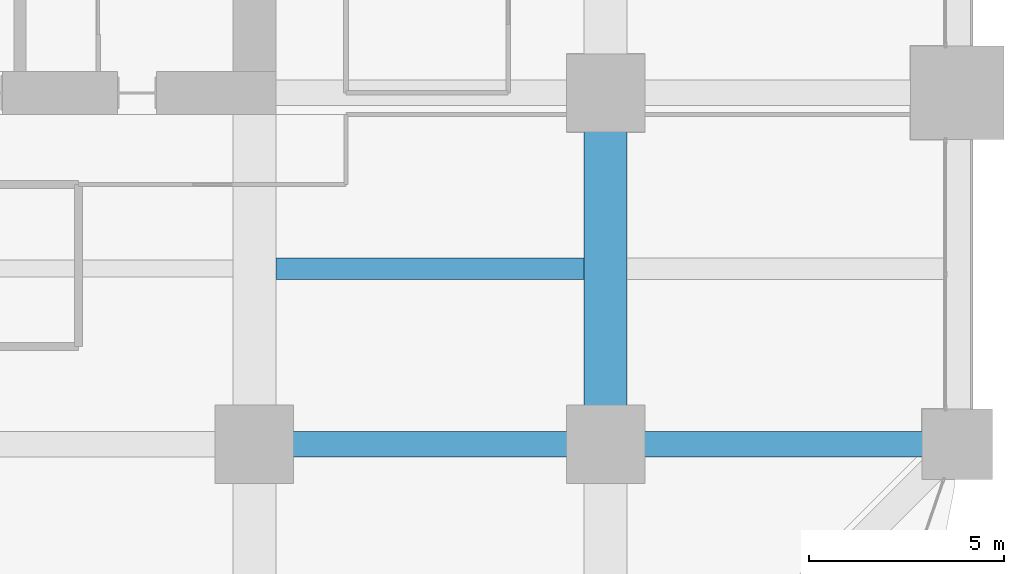
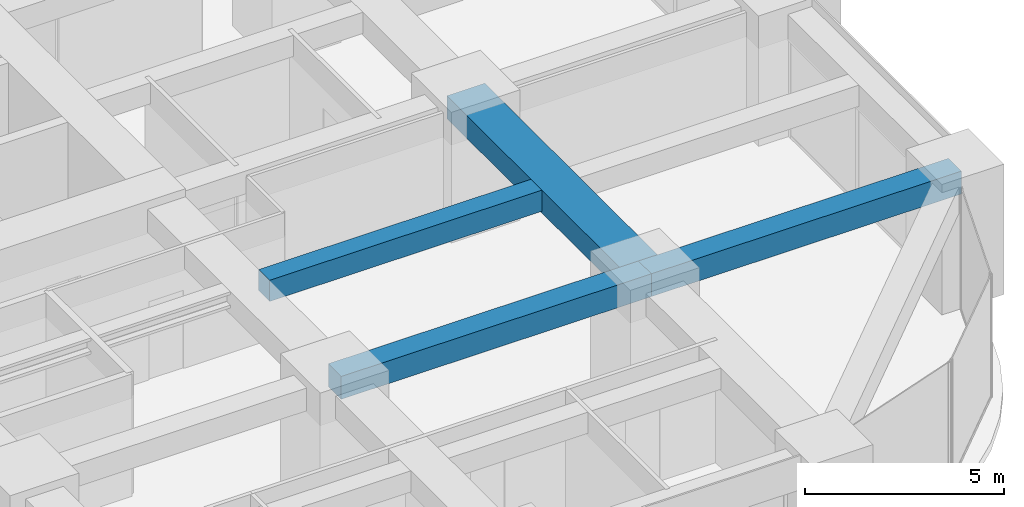
# One storey, part 18 of 41: 4 beams.
"""IFC4 building model written with IfcOpenShell, lengths in metres."""

import ifcopenshell
import ifcopenshell.guid

model = None  # the IFC model being written
_history = None  # IfcOwnerHistory: only IFC2X3 demands one
_inside = {}  # id of a spatial element -> (the spatial element, [elements in it])
_under = {}  # id of a project, library or spatial element -> (it, [spatial elements below it])
_declared = {}  # id of a project -> (the project, [libraries it declares])
_typed = {}  # id of a type object -> (the type object, [elements of that type])
_made_of = {}  # id of a material, layer set ... -> (it, [elements and type objects made of it])


def new_model(schema):
    """Start an empty IFC model of exactly this schema.

    Asked for "IFC4X3", IfcOpenShell would pick the latest addendum, in which some entities
    have other attributes; the version numbers below select the first issue.
    IFC2X3 requires an IfcOwnerHistory on every rooted entity: one is made here for all.
    """
    global model, _history
    if schema == "IFC4X3":
        model = ifcopenshell.file(schema_version=(4, 3, 0, 0))
    else:
        model = ifcopenshell.file(schema=schema)
    _inside.clear()
    _under.clear()
    _declared.clear()
    _typed.clear()
    _made_of.clear()
    _history = None
    if model.schema == "IFC2X3":
        org = make("IfcOrganization", Name="unknown")
        user = make(
            "IfcPersonAndOrganization",
            ThePerson=make("IfcPerson", FamilyName="unknown"),
            TheOrganization=org,
        )
        app = make(
            "IfcApplication",
            ApplicationDeveloper=org,
            Version="unknown",
            ApplicationFullName="unknown",
            ApplicationIdentifier="unknown",
        )
        _history = make(
            "IfcOwnerHistory",
            OwningUser=user,
            OwningApplication=app,
            ChangeAction="ADDED",
            CreationDate=0,
        )
    return model


def make(cls, **values):
    """One entity of the class cls with the attributes given. An attribute that is None is left unset."""
    return model.create_entity(
        cls, **{name: value for name, value in values.items() if value is not None}
    )


def rooted(cls, **values):
    """An entity with a GlobalId (a new one), such as an element, a storey or a relation."""
    return make(cls, GlobalId=ifcopenshell.guid.new(), OwnerHistory=_history, **values)


def si_unit(unit_type, name, prefix=None):
    """IfcSIUnit, for example si_unit("LENGTHUNIT", "METRE", prefix="MILLI")."""
    return make("IfcSIUnit", UnitType=unit_type, Prefix=prefix, Name=name)


def assignment(units):
    """IfcUnitAssignment: the units of a project."""
    return None if units is None else make("IfcUnitAssignment", Units=units)


def point(xyz):
    """IfcCartesianPoint."""
    return None if xyz is None else make("IfcCartesianPoint", Coordinates=xyz)


def direction(xyz):
    """IfcDirection."""
    return None if xyz is None else make("IfcDirection", DirectionRatios=xyz)


def frame(location, z_axis=None, x_axis=None):
    """IfcAxis2Placement3D, a coordinate frame: its origin and axes. An axis left out is left unset."""
    return make(
        "IfcAxis2Placement3D",
        Location=point(location),
        Axis=direction(z_axis),
        RefDirection=direction(x_axis),
    )


def frame_2d(location, x_axis=None):
    """IfcAxis2Placement2D, a coordinate frame in the plane: its origin and x axis."""
    return make(
        "IfcAxis2Placement2D", Location=point(location), RefDirection=direction(x_axis)
    )


def origin():
    """The frame at (0, 0, 0) with its axes left unset."""
    return frame((0.0, 0.0, 0.0))


def origin_2d():
    """The frame at (0, 0) in the plane with its x axis left unset."""
    return frame_2d((0.0, 0.0))


def place(relative_to, where):
    """IfcLocalPlacement: puts the frame where relative to a parent placement (None: the world)."""
    return make(
        "IfcLocalPlacement", PlacementRelTo=relative_to, RelativePlacement=where
    )


def context(
    kind, dimensions, precision=None, world=None, true_north=None, identifier=None
):
    """IfcGeometricRepresentationContext, for example the 3D "Model" context."""
    return make(
        "IfcGeometricRepresentationContext",
        ContextIdentifier=identifier,
        ContextType=kind,
        CoordinateSpaceDimension=dimensions,
        Precision=precision,
        WorldCoordinateSystem=world,
        TrueNorth=true_north,
    )


def subcontext(parent, identifier, kind, view, scale=None):
    """IfcGeometricRepresentationSubContext, for example "Body" below "Model"."""
    return make(
        "IfcGeometricRepresentationSubContext",
        ContextIdentifier=identifier,
        ContextType=kind,
        ParentContext=parent,
        TargetScale=scale,
        TargetView=view,
    )


def project(units=None, contexts=None):
    """IfcProject with its units and contexts."""
    return rooted(
        "IfcProject",
        Name="project",
        RepresentationContexts=contexts,
        UnitsInContext=assignment(units),
    )


def spatial(cls, under=None, at=None, **own):
    """A site, building, storey or space (cls), placed at a placement, below another one or the project."""
    s = rooted(cls, ObjectPlacement=at, **own)
    if under is not None:
        _under.setdefault(under.id(), (under, []))[1].append(s)
    return s


def profile(cls, at=None, kind="AREA", **sizes):
    """A parametric profile (cls). Its sizes go by their IFC names, for example OverallWidth=200.0."""
    return make(cls, ProfileType=kind, Position=at, **sizes)


def rectangle(**sizes):
    """IfcRectangleProfileDef."""
    return profile("IfcRectangleProfileDef", **sizes)


def extrude(swept, where, along, depth):
    """IfcExtrudedAreaSolid: the profile swept, set in the frame where, extruded along a direction by depth."""
    return make(
        "IfcExtrudedAreaSolid",
        SweptArea=swept,
        Position=where,
        ExtrudedDirection=direction(along),
        Depth=depth,
    )


def shape(context_of_items, identifier, shape_type, items):
    """IfcShapeRepresentation: the items that make up one representation, for example the "Body"."""
    return make(
        "IfcShapeRepresentation",
        ContextOfItems=context_of_items,
        RepresentationIdentifier=identifier,
        RepresentationType=shape_type,
        Items=items,
    )


def material(Name=None, Category=None):
    """IfcMaterial."""
    return make("IfcMaterial", Name=Name, Category=Category)


def material_profile(
    of_material, cross_section, Name=None, Category=None, Priority=None
):
    """IfcMaterialProfile: a cross section and its material."""
    return make(
        "IfcMaterialProfile",
        Name=Name,
        Material=of_material,
        Profile=cross_section,
        Priority=Priority,
        Category=Category,
    )


def profile_set(profiles, Name=None, composite=None):
    """IfcMaterialProfileSet."""
    return make(
        "IfcMaterialProfileSet",
        Name=Name,
        MaterialProfiles=profiles,
        CompositeProfile=composite,
    )


def made_of(thing, what):
    """Note that an element or type object is made of a material, layer set ...; save() writes the relation."""
    if what is not None:
        _made_of.setdefault(what.id(), (what, []))[1].append(thing)
    return thing


def type_object(cls, material=None, **own):
    """A type object (cls), such as IfcWallType, which elements share."""
    return made_of(rooted(cls, **own), material)


def element(
    cls,
    number,
    at=None,
    inside=None,
    cuts=None,
    type_object=None,
    material=None,
    context=None,
    identifier="Body",
    shape_type=None,
    held_by="IfcProductDefinitionShape",
    body=None,
    shapes=None,
    **own,
):
    """One element of the class cls, such as IfcWall. Its Tag is "e" and its number.

    at: its placement. inside: the storey or other place that contains it. cuts: it is an
    opening in that element (IfcRelVoidsElement). A single representation is given by context,
    identifier, shape_type and body (its items); several are given by shapes. held_by: the class
    of the entity that holds the representations. save() writes the other relations.
    """
    e = rooted(cls, Tag="e%d" % number, ObjectPlacement=at, **own)
    if body is not None:
        shapes = [shape(context, identifier, shape_type, body)]
    if shapes is not None:
        e.Representation = make(held_by, Representations=shapes)
    if inside is not None:
        _inside.setdefault(inside.id(), (inside, []))[1].append(e)
    if cuts is not None:
        rooted(
            "IfcRelVoidsElement", RelatingBuildingElement=cuts, RelatedOpeningElement=e
        )
    if type_object is not None:
        _typed.setdefault(type_object.id(), (type_object, []))[1].append(e)
    return made_of(e, material)


def aggregate(whole, parts):
    """IfcRelAggregates: a whole, such as a stair, and the parts it consists of."""
    return rooted("IfcRelAggregates", RelatingObject=whole, RelatedObjects=parts)


def save(model, path):
    """Write the relations noted so far, then the file.

    IfcRelAggregates (storeys below a building ...), IfcRelContainedInSpatialStructure (elements
    in a storey), IfcRelDefinesByType, IfcRelAssociatesMaterial and IfcRelDeclares: one each for
    every whole, place, type object, material and project.
    """
    for whole, parts in _under.values():
        aggregate(whole, parts)
    for where, things in _inside.values():
        rooted(
            "IfcRelContainedInSpatialStructure",
            RelatedElements=things,
            RelatingStructure=where,
        )
    for kind, things in _typed.values():
        rooted("IfcRelDefinesByType", RelatedObjects=things, RelatingType=kind)
    for what, things in _made_of.values():
        rooted("IfcRelAssociatesMaterial", RelatedObjects=things, RelatingMaterial=what)
    for by, libraries in _declared.values():
        rooted("IfcRelDeclares", RelatingContext=by, RelatedDefinitions=libraries)
    model.write(path)


model = new_model("IFC4")

# Units and contexts
model_context = context("Model", 3, precision=1e-05, world=origin(), true_north=direction((0.0, 1.0)))
body_context = subcontext(model_context, "Body", "Model", "MODEL_VIEW")
ifc_project = project(units=[si_unit("LENGTHUNIT", "METRE"), si_unit("AREAUNIT", "SQUARE_METRE"), si_unit("VOLUMEUNIT", "CUBIC_METRE"), si_unit("PLANEANGLEUNIT", "RADIAN"), si_unit("MASSUNIT", "GRAM", prefix="KILO")], contexts=[model_context])

# Site, building, storey
site_placement = place(None, origin())
site = spatial("IfcSite", under=ifc_project, at=site_placement, CompositionType="ELEMENT")
building_placement = place(site_placement, origin())
building = spatial("IfcBuilding", under=site, at=building_placement, Name="Zorevar Civic Tower", CompositionType="ELEMENT")
storey_placement = place(building_placement, frame((0.0, 0.0, 101.0)))
storey = spatial("IfcBuildingStorey", under=building, at=storey_placement, Name="L24", CompositionType="ELEMENT", Elevation=101.0)

# Beams
ifc_material_1 = material(Name="Concrete C50/60", Category="concrete")
ifc_material_profile_1 = material_profile(ifc_material_1, rectangle(XDim=1.10009765625, YDim=0.699951171875, at=origin_2d()), Name="RC 1100x700")
ifc_profile_set_1 = profile_set([ifc_material_profile_1], Name="Concrete C50/60")
beam_type_1 = type_object("IfcBeamType", Name="Beam RC 1100x700", PredefinedType="BEAM", material=ifc_profile_set_1)
beam_1_placement = place(storey_placement, frame((54.0, 9.0, 3.39990234375), z_axis=(0.0, 1.0, 0.0), x_axis=(-1.0, 0.0, 0.0)))
element("IfcBeam", 1, at=beam_1_placement, inside=storey, type_object=beam_type_1, Name="Girder L25", PredefinedType="BEAM", context=body_context, shape_type="SweptSolid", body=[
    extrude(rectangle(XDim=1.10009765625, YDim=0.699951171875, at=origin_2d()), origin(), (0.0, 0.0, 1.0), 9.0),
])
ifc_material_2 = material(Name="Concrete C50/60", Category="concrete")
ifc_material_profile_2 = material_profile(ifc_material_2, rectangle(XDim=0.550048828125, YDim=0.64990234375, at=origin_2d()), Name="RC 550x650")
ifc_profile_set_2 = profile_set([ifc_material_profile_2], Name="Concrete C50/60")
beam_type_2 = type_object("IfcBeamType", Name="Beam RC 550x650", PredefinedType="BEAM", material=ifc_profile_set_2)
beam_2_placement = place(storey_placement, frame((45.550048828125, 13.5, 3.425048828125), z_axis=(1.0, 0.0, 0.0), x_axis=(0.0, 1.0, 0.0)))
element("IfcBeam", 2, at=beam_2_placement, inside=storey, type_object=beam_type_2, Name="Secondary beam L25", PredefinedType="BEAM", context=body_context, shape_type="SweptSolid", body=[
    extrude(rectangle(XDim=0.550048828125, YDim=0.64990234375, at=origin_2d()), origin(), (0.0, 0.0, 1.0), 7.89990234375),
])
ifc_material_3 = material(Name="Concrete C50/60", Category="concrete")
ifc_material_profile_3 = material_profile(ifc_material_3, rectangle(XDim=0.64990234375, YDim=0.699951171875, at=origin_2d()), Name="RC 650x700")
ifc_profile_set_3 = profile_set([ifc_material_profile_3], Name="Concrete C50/60")
beam_type_3 = type_object("IfcBeamType", Name="Beam RC 650x700", PredefinedType="BEAM", material=ifc_profile_set_3)
for number, where, z_axis, x_axis, name in (
    (3, (45.0, 9.0, 3.39990234375), (1.0, 0.0, 0.0), (0.0, 1.0, 0.0), "Girder L25"),
    (4, (54.0, 9.0, 3.39990234375), (1.0, 0.0, 0.0), (0.0, 1.0, 0.0), "Girder L25"),
):
    element("IfcBeam", number, at=place(storey_placement, frame(where, z_axis=z_axis, x_axis=x_axis)), inside=storey, type_object=beam_type_3, Name=name, PredefinedType="BEAM", context=body_context, shape_type="SweptSolid", body=[
        extrude(rectangle(XDim=0.64990234375, YDim=0.699951171875, at=origin_2d()), origin(), (0.0, 0.0, 1.0), 9.0),
    ])

save(model, "model.ifc")
